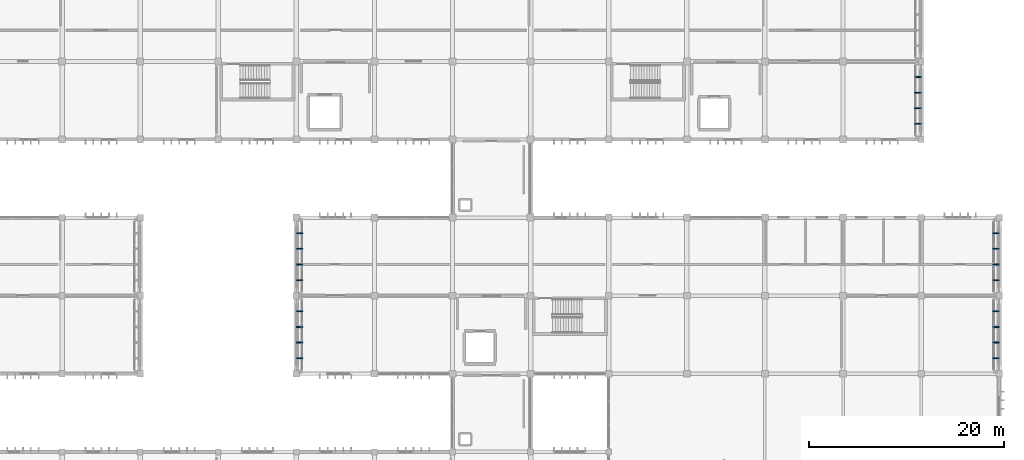
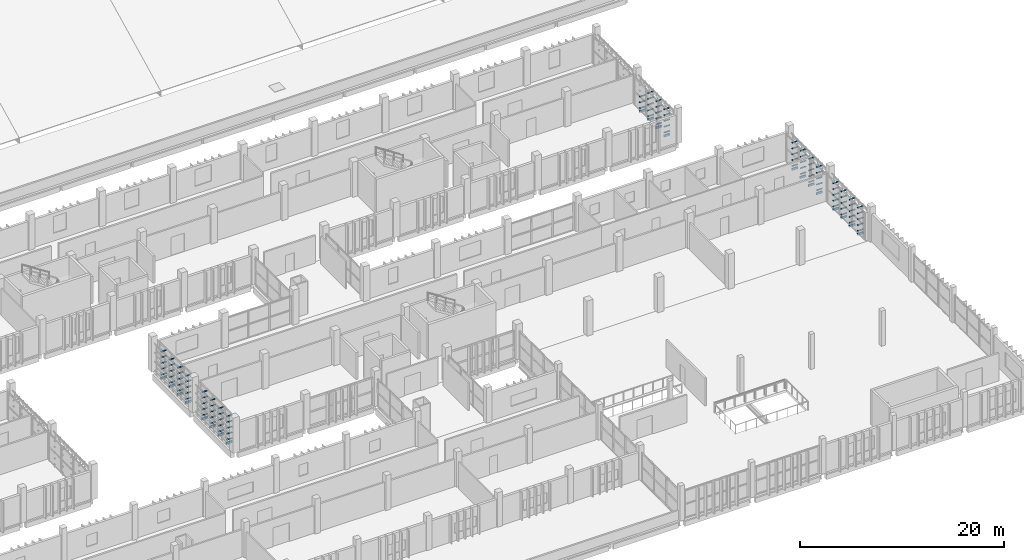
# One storey, part 126 of 137: 118 discrete accessories.
"""IFC4 building model written with IfcOpenShell, lengths in metres."""

from ifc_helpers import new_model, si_unit, direction, frame, origin, origin_2d, place, context, subcontext, project, spatial, rectangle, extrude, material, type_object, element, save


model = new_model("IFC4")

# Units and contexts
model_context = context("Model", 3, precision=1e-05, world=origin(), true_north=direction((0.0, 1.0)))
body_context = subcontext(model_context, "Body", "Model", "MODEL_VIEW")
ifc_project = project(units=[si_unit("LENGTHUNIT", "METRE"), si_unit("AREAUNIT", "SQUARE_METRE"), si_unit("VOLUMEUNIT", "CUBIC_METRE"), si_unit("PLANEANGLEUNIT", "RADIAN"), si_unit("MASSUNIT", "GRAM", prefix="KILO")], contexts=[model_context])

# Site, building, storey
site_placement = place(None, origin())
site = spatial("IfcSite", under=ifc_project, at=site_placement, CompositionType="ELEMENT")
building_placement = place(site_placement, origin())
building = spatial("IfcBuilding", under=site, at=building_placement, Name="Jelvoka-Kovrelna Polytechnic", CompositionType="ELEMENT")
storey_placement = place(building_placement, frame((0.0, 0.0, 9.60009765625)))
storey = spatial("IfcBuildingStorey", under=building, at=storey_placement, Name="L03", CompositionType="ELEMENT", Elevation=9.60009765625)

# Discrete accessories
ifc_material = material(Name="Structural steel S355JR", Category="steel")
discrete_accessory_type = type_object("IfcDiscreteAccessoryType", Name="Bracket_Outrigger_S355", PredefinedType="BRACKET", material=ifc_material)
discrete_accessory_1_placement = place(storey_placement, frame((128.320068359375, 33.60009765625, 0.27978515625), z_axis=(0.0, 0.0, 1.0), x_axis=(1.0, 0.0, 0.0)))
element("IfcDiscreteAccessory", 1, at=discrete_accessory_1_placement, inside=storey, type_object=discrete_accessory_type, Name="L03 screen outrigger tie bracket BRKM-PLT-SCR-0581", PredefinedType="BRACKET", context=body_context, shape_type="SweptSolid", body=[
    extrude(rectangle(XDim=0.639892578125, YDim=0.080078125, at=origin_2d()), origin(), (0.0, 0.0, 1.0), 0.080078125),
])
discrete_accessory_2_placement = place(storey_placement, frame((128.340087890625, 33.60009765625, -0.199951171875), z_axis=(0.0, 0.0, 1.0), x_axis=(1.0, 0.0, 0.0)))
element("IfcDiscreteAccessory", 2, at=discrete_accessory_2_placement, inside=storey, type_object=discrete_accessory_type, Name="L03 screen outrigger tie bracket BRK-PLT-SCR-0581", PredefinedType="BRACKET", context=body_context, shape_type="SweptSolid", body=[
    extrude(rectangle(XDim=0.679931640625, YDim=0.1201171875, at=origin_2d()), origin(), (0.0, 0.0, 1.0), 0.239990234375),
])
for number, where, z_axis, x_axis, name in (
    (3, (128.320068359375, 33.60009765625, 0.972412109375), (0.0, 0.0, 1.0), (1.0, 0.0, 0.0), "L03 screen outrigger tie bracket BRKM-PLT-SCR-0582"),
    (4, (128.320068359375, 33.60009765625, 1.664794921875), (0.0, 0.0, 1.0), (1.0, 0.0, 0.0), "L03 screen outrigger tie bracket BRKM-PLT-SCR-0583"),
    (5, (128.320068359375, 33.60009765625, 2.357421875), (0.0, 0.0, 1.0), (1.0, 0.0, 0.0), "L03 screen outrigger tie bracket BRKM-PLT-SCR-0584"),
    (6, (128.320068359375, 33.60009765625, 3.0498046875), (0.0, 0.0, 1.0), (1.0, 0.0, 0.0), "L03 screen outrigger tie bracket BRKM-PLT-SCR-0585"),
    (7, (128.320068359375, 35.199951171875, 0.27978515625), (0.0, 0.0, 1.0), (1.0, 0.0, 0.0), "L03 screen outrigger tie bracket BRKM-PLT-SCR-0586"),
):
    element("IfcDiscreteAccessory", number, at=place(storey_placement, frame(where, z_axis=z_axis, x_axis=x_axis)), inside=storey, type_object=discrete_accessory_type, Name=name, PredefinedType="BRACKET", context=body_context, shape_type="SweptSolid", body=[
        extrude(rectangle(XDim=0.639892578125, YDim=0.080078125, at=origin_2d()), origin(), (0.0, 0.0, 1.0), 0.080078125),
    ])
discrete_accessory_3_placement = place(storey_placement, frame((128.340087890625, 35.199951171875, -0.199951171875), z_axis=(0.0, 0.0, 1.0), x_axis=(1.0, 0.0, 0.0)))
element("IfcDiscreteAccessory", 8, at=discrete_accessory_3_placement, inside=storey, type_object=discrete_accessory_type, Name="L03 screen outrigger tie bracket BRK-PLT-SCR-0586", PredefinedType="BRACKET", context=body_context, shape_type="SweptSolid", body=[
    extrude(rectangle(XDim=0.679931640625, YDim=0.1201171875, at=origin_2d()), origin(), (0.0, 0.0, 1.0), 0.239990234375),
])
for number, where, z_axis, x_axis, name in (
    (9, (128.320068359375, 35.199951171875, 0.972412109375), (0.0, 0.0, 1.0), (1.0, 0.0, 0.0), "L03 screen outrigger tie bracket BRKM-PLT-SCR-0587"),
    (10, (128.320068359375, 35.199951171875, 1.664794921875), (0.0, 0.0, 1.0), (1.0, 0.0, 0.0), "L03 screen outrigger tie bracket BRKM-PLT-SCR-0588"),
    (11, (128.320068359375, 35.199951171875, 2.357421875), (0.0, 0.0, 1.0), (1.0, 0.0, 0.0), "L03 screen outrigger tie bracket BRKM-PLT-SCR-0589"),
    (12, (128.320068359375, 35.199951171875, 3.0498046875), (0.0, 0.0, 1.0), (1.0, 0.0, 0.0), "L03 screen outrigger tie bracket BRKM-PLT-SCR-0590"),
    (13, (128.320068359375, 36.800048828125, 0.27978515625), (0.0, 0.0, 1.0), (1.0, 0.0, 0.0), "L03 screen outrigger tie bracket BRKM-PLT-SCR-0591"),
):
    element("IfcDiscreteAccessory", number, at=place(storey_placement, frame(where, z_axis=z_axis, x_axis=x_axis)), inside=storey, type_object=discrete_accessory_type, Name=name, PredefinedType="BRACKET", context=body_context, shape_type="SweptSolid", body=[
        extrude(rectangle(XDim=0.639892578125, YDim=0.080078125, at=origin_2d()), origin(), (0.0, 0.0, 1.0), 0.080078125),
    ])
discrete_accessory_4_placement = place(storey_placement, frame((128.340087890625, 36.800048828125, -0.199951171875), z_axis=(0.0, 0.0, 1.0), x_axis=(1.0, 0.0, 0.0)))
element("IfcDiscreteAccessory", 14, at=discrete_accessory_4_placement, inside=storey, type_object=discrete_accessory_type, Name="L03 screen outrigger tie bracket BRK-PLT-SCR-0591", PredefinedType="BRACKET", context=body_context, shape_type="SweptSolid", body=[
    extrude(rectangle(XDim=0.679931640625, YDim=0.1201171875, at=origin_2d()), origin(), (0.0, 0.0, 1.0), 0.239990234375),
])
for number, where, z_axis, x_axis, name in (
    (15, (128.320068359375, 36.800048828125, 0.972412109375), (0.0, 0.0, 1.0), (1.0, 0.0, 0.0), "L03 screen outrigger tie bracket BRKM-PLT-SCR-0592"),
    (16, (128.320068359375, 36.800048828125, 1.664794921875), (0.0, 0.0, 1.0), (1.0, 0.0, 0.0), "L03 screen outrigger tie bracket BRKM-PLT-SCR-0593"),
    (17, (128.320068359375, 36.800048828125, 2.357421875), (0.0, 0.0, 1.0), (1.0, 0.0, 0.0), "L03 screen outrigger tie bracket BRKM-PLT-SCR-0594"),
    (18, (128.320068359375, 36.800048828125, 3.0498046875), (0.0, 0.0, 1.0), (1.0, 0.0, 0.0), "L03 screen outrigger tie bracket BRKM-PLT-SCR-0595"),
    (19, (128.320068359375, 38.39990234375, 0.27978515625), (0.0, 0.0, 1.0), (1.0, 0.0, 0.0), "L03 screen outrigger tie bracket BRKM-PLT-SCR-0596"),
):
    element("IfcDiscreteAccessory", number, at=place(storey_placement, frame(where, z_axis=z_axis, x_axis=x_axis)), inside=storey, type_object=discrete_accessory_type, Name=name, PredefinedType="BRACKET", context=body_context, shape_type="SweptSolid", body=[
        extrude(rectangle(XDim=0.639892578125, YDim=0.080078125, at=origin_2d()), origin(), (0.0, 0.0, 1.0), 0.080078125),
    ])
discrete_accessory_5_placement = place(storey_placement, frame((128.340087890625, 38.39990234375, -0.199951171875), z_axis=(0.0, 0.0, 1.0), x_axis=(1.0, 0.0, 0.0)))
element("IfcDiscreteAccessory", 20, at=discrete_accessory_5_placement, inside=storey, type_object=discrete_accessory_type, Name="L03 screen outrigger tie bracket BRK-PLT-SCR-0596", PredefinedType="BRACKET", context=body_context, shape_type="SweptSolid", body=[
    extrude(rectangle(XDim=0.679931640625, YDim=0.1201171875, at=origin_2d()), origin(), (0.0, 0.0, 1.0), 0.239990234375),
])
for number, where, z_axis, x_axis, name in (
    (21, (128.320068359375, 38.39990234375, 0.972412109375), (0.0, 0.0, 1.0), (1.0, 0.0, 0.0), "L03 screen outrigger tie bracket BRKM-PLT-SCR-0597"),
    (22, (128.320068359375, 38.39990234375, 1.664794921875), (0.0, 0.0, 1.0), (1.0, 0.0, 0.0), "L03 screen outrigger tie bracket BRKM-PLT-SCR-0598"),
    (23, (128.320068359375, 38.39990234375, 2.357421875), (0.0, 0.0, 1.0), (1.0, 0.0, 0.0), "L03 screen outrigger tie bracket BRKM-PLT-SCR-0599"),
    (24, (128.320068359375, 38.39990234375, 3.0498046875), (0.0, 0.0, 1.0), (1.0, 0.0, 0.0), "L03 screen outrigger tie bracket BRKM-PLT-SCR-0600"),
    (25, (128.320068359375, 41.60009765625, 0.27978515625), (0.0, 0.0, 1.0), (1.0, 0.0, 0.0), "L03 screen outrigger tie bracket BRKM-PLT-SCR-0601"),
):
    element("IfcDiscreteAccessory", number, at=place(storey_placement, frame(where, z_axis=z_axis, x_axis=x_axis)), inside=storey, type_object=discrete_accessory_type, Name=name, PredefinedType="BRACKET", context=body_context, shape_type="SweptSolid", body=[
        extrude(rectangle(XDim=0.639892578125, YDim=0.080078125, at=origin_2d()), origin(), (0.0, 0.0, 1.0), 0.080078125),
    ])
discrete_accessory_6_placement = place(storey_placement, frame((128.340087890625, 41.60009765625, -0.199951171875), z_axis=(0.0, 0.0, 1.0), x_axis=(1.0, 0.0, 0.0)))
element("IfcDiscreteAccessory", 26, at=discrete_accessory_6_placement, inside=storey, type_object=discrete_accessory_type, Name="L03 screen outrigger tie bracket BRK-PLT-SCR-0601", PredefinedType="BRACKET", context=body_context, shape_type="SweptSolid", body=[
    extrude(rectangle(XDim=0.679931640625, YDim=0.1201171875, at=origin_2d()), origin(), (0.0, 0.0, 1.0), 0.239990234375),
])
for number, where, z_axis, x_axis, name in (
    (27, (128.320068359375, 41.60009765625, 0.972412109375), (0.0, 0.0, 1.0), (1.0, 0.0, 0.0), "L03 screen outrigger tie bracket BRKM-PLT-SCR-0602"),
    (28, (128.320068359375, 41.60009765625, 1.664794921875), (0.0, 0.0, 1.0), (1.0, 0.0, 0.0), "L03 screen outrigger tie bracket BRKM-PLT-SCR-0603"),
    (29, (128.320068359375, 41.60009765625, 2.357421875), (0.0, 0.0, 1.0), (1.0, 0.0, 0.0), "L03 screen outrigger tie bracket BRKM-PLT-SCR-0604"),
    (30, (128.320068359375, 41.60009765625, 3.0498046875), (0.0, 0.0, 1.0), (1.0, 0.0, 0.0), "L03 screen outrigger tie bracket BRKM-PLT-SCR-0605"),
    (31, (128.320068359375, 43.199951171875, 0.27978515625), (0.0, 0.0, 1.0), (1.0, 0.0, 0.0), "L03 screen outrigger tie bracket BRKM-PLT-SCR-0606"),
):
    element("IfcDiscreteAccessory", number, at=place(storey_placement, frame(where, z_axis=z_axis, x_axis=x_axis)), inside=storey, type_object=discrete_accessory_type, Name=name, PredefinedType="BRACKET", context=body_context, shape_type="SweptSolid", body=[
        extrude(rectangle(XDim=0.639892578125, YDim=0.080078125, at=origin_2d()), origin(), (0.0, 0.0, 1.0), 0.080078125),
    ])
discrete_accessory_7_placement = place(storey_placement, frame((128.340087890625, 43.199951171875, -0.199951171875), z_axis=(0.0, 0.0, 1.0), x_axis=(1.0, 0.0, 0.0)))
element("IfcDiscreteAccessory", 32, at=discrete_accessory_7_placement, inside=storey, type_object=discrete_accessory_type, Name="L03 screen outrigger tie bracket BRK-PLT-SCR-0606", PredefinedType="BRACKET", context=body_context, shape_type="SweptSolid", body=[
    extrude(rectangle(XDim=0.679931640625, YDim=0.1201171875, at=origin_2d()), origin(), (0.0, 0.0, 1.0), 0.239990234375),
])
for number, where, z_axis, x_axis, name in (
    (33, (128.320068359375, 43.199951171875, 0.972412109375), (0.0, 0.0, 1.0), (1.0, 0.0, 0.0), "L03 screen outrigger tie bracket BRKM-PLT-SCR-0607"),
    (34, (128.320068359375, 43.199951171875, 1.664794921875), (0.0, 0.0, 1.0), (1.0, 0.0, 0.0), "L03 screen outrigger tie bracket BRKM-PLT-SCR-0608"),
    (35, (128.320068359375, 43.199951171875, 2.357421875), (0.0, 0.0, 1.0), (1.0, 0.0, 0.0), "L03 screen outrigger tie bracket BRKM-PLT-SCR-0609"),
    (36, (128.320068359375, 43.199951171875, 3.0498046875), (0.0, 0.0, 1.0), (1.0, 0.0, 0.0), "L03 screen outrigger tie bracket BRKM-PLT-SCR-0610"),
    (37, (128.320068359375, 44.800048828125, 0.27978515625), (0.0, 0.0, 1.0), (1.0, 0.0, 0.0), "L03 screen outrigger tie bracket BRKM-PLT-SCR-0611"),
):
    element("IfcDiscreteAccessory", number, at=place(storey_placement, frame(where, z_axis=z_axis, x_axis=x_axis)), inside=storey, type_object=discrete_accessory_type, Name=name, PredefinedType="BRACKET", context=body_context, shape_type="SweptSolid", body=[
        extrude(rectangle(XDim=0.639892578125, YDim=0.080078125, at=origin_2d()), origin(), (0.0, 0.0, 1.0), 0.080078125),
    ])
discrete_accessory_8_placement = place(storey_placement, frame((128.340087890625, 44.800048828125, -0.199951171875), z_axis=(0.0, 0.0, 1.0), x_axis=(1.0, 0.0, 0.0)))
element("IfcDiscreteAccessory", 38, at=discrete_accessory_8_placement, inside=storey, type_object=discrete_accessory_type, Name="L03 screen outrigger tie bracket BRK-PLT-SCR-0611", PredefinedType="BRACKET", context=body_context, shape_type="SweptSolid", body=[
    extrude(rectangle(XDim=0.679931640625, YDim=0.1201171875, at=origin_2d()), origin(), (0.0, 0.0, 1.0), 0.239990234375),
])
for number, where, z_axis, x_axis, name in (
    (39, (128.320068359375, 44.800048828125, 0.972412109375), (0.0, 0.0, 1.0), (1.0, 0.0, 0.0), "L03 screen outrigger tie bracket BRKM-PLT-SCR-0612"),
    (40, (128.320068359375, 44.800048828125, 1.664794921875), (0.0, 0.0, 1.0), (1.0, 0.0, 0.0), "L03 screen outrigger tie bracket BRKM-PLT-SCR-0613"),
    (41, (128.320068359375, 44.800048828125, 2.357421875), (0.0, 0.0, 1.0), (1.0, 0.0, 0.0), "L03 screen outrigger tie bracket BRKM-PLT-SCR-0614"),
    (42, (128.320068359375, 44.800048828125, 3.0498046875), (0.0, 0.0, 1.0), (1.0, 0.0, 0.0), "L03 screen outrigger tie bracket BRKM-PLT-SCR-0615"),
    (43, (128.320068359375, 46.39990234375, 0.27978515625), (0.0, 0.0, 1.0), (1.0, 0.0, 0.0), "L03 screen outrigger tie bracket BRKM-PLT-SCR-0616"),
):
    element("IfcDiscreteAccessory", number, at=place(storey_placement, frame(where, z_axis=z_axis, x_axis=x_axis)), inside=storey, type_object=discrete_accessory_type, Name=name, PredefinedType="BRACKET", context=body_context, shape_type="SweptSolid", body=[
        extrude(rectangle(XDim=0.639892578125, YDim=0.080078125, at=origin_2d()), origin(), (0.0, 0.0, 1.0), 0.080078125),
    ])
discrete_accessory_9_placement = place(storey_placement, frame((128.340087890625, 46.39990234375, -0.199951171875), z_axis=(0.0, 0.0, 1.0), x_axis=(1.0, 0.0, 0.0)))
element("IfcDiscreteAccessory", 44, at=discrete_accessory_9_placement, inside=storey, type_object=discrete_accessory_type, Name="L03 screen outrigger tie bracket BRK-PLT-SCR-0616", PredefinedType="BRACKET", context=body_context, shape_type="SweptSolid", body=[
    extrude(rectangle(XDim=0.679931640625, YDim=0.1201171875, at=origin_2d()), origin(), (0.0, 0.0, 1.0), 0.239990234375),
])
for number, where, z_axis, x_axis, name in (
    (45, (128.320068359375, 46.39990234375, 0.972412109375), (0.0, 0.0, 1.0), (1.0, 0.0, 0.0), "L03 screen outrigger tie bracket BRKM-PLT-SCR-0617"),
    (46, (128.320068359375, 46.39990234375, 1.664794921875), (0.0, 0.0, 1.0), (1.0, 0.0, 0.0), "L03 screen outrigger tie bracket BRKM-PLT-SCR-0618"),
    (47, (128.320068359375, 46.39990234375, 2.357421875), (0.0, 0.0, 1.0), (1.0, 0.0, 0.0), "L03 screen outrigger tie bracket BRKM-PLT-SCR-0619"),
    (48, (128.320068359375, 46.39990234375, 3.0498046875), (0.0, 0.0, 1.0), (1.0, 0.0, 0.0), "L03 screen outrigger tie bracket BRKM-PLT-SCR-0620"),
    (49, (199.679931640625, 33.60009765625, 0.27978515625), (0.0, 0.0, 1.0), (1.0, 0.0, 0.0), "L03 screen outrigger tie bracket BRKM-PLT-SCR-0621"),
):
    element("IfcDiscreteAccessory", number, at=place(storey_placement, frame(where, z_axis=z_axis, x_axis=x_axis)), inside=storey, type_object=discrete_accessory_type, Name=name, PredefinedType="BRACKET", context=body_context, shape_type="SweptSolid", body=[
        extrude(rectangle(XDim=0.639892578125, YDim=0.080078125, at=origin_2d()), origin(), (0.0, 0.0, 1.0), 0.080078125),
    ])
discrete_accessory_10_placement = place(storey_placement, frame((199.659912109375, 33.60009765625, -0.199951171875), z_axis=(0.0, 0.0, 1.0), x_axis=(1.0, 0.0, 0.0)))
element("IfcDiscreteAccessory", 50, at=discrete_accessory_10_placement, inside=storey, type_object=discrete_accessory_type, Name="L03 screen outrigger tie bracket BRK-PLT-SCR-0621", PredefinedType="BRACKET", context=body_context, shape_type="SweptSolid", body=[
    extrude(rectangle(XDim=0.679931640625, YDim=0.1201171875, at=origin_2d()), origin(), (0.0, 0.0, 1.0), 0.239990234375),
])
for number, where, z_axis, x_axis, name in (
    (51, (199.679931640625, 33.60009765625, 0.972412109375), (0.0, 0.0, 1.0), (1.0, 0.0, 0.0), "L03 screen outrigger tie bracket BRKM-PLT-SCR-0622"),
    (52, (199.679931640625, 33.60009765625, 1.664794921875), (0.0, 0.0, 1.0), (1.0, 0.0, 0.0), "L03 screen outrigger tie bracket BRKM-PLT-SCR-0623"),
    (53, (199.679931640625, 33.60009765625, 2.357421875), (0.0, 0.0, 1.0), (1.0, 0.0, 0.0), "L03 screen outrigger tie bracket BRKM-PLT-SCR-0624"),
    (54, (199.679931640625, 33.60009765625, 3.0498046875), (0.0, 0.0, 1.0), (1.0, 0.0, 0.0), "L03 screen outrigger tie bracket BRKM-PLT-SCR-0625"),
    (55, (199.679931640625, 35.199951171875, 0.27978515625), (0.0, 0.0, 1.0), (1.0, 0.0, 0.0), "L03 screen outrigger tie bracket BRKM-PLT-SCR-0626"),
):
    element("IfcDiscreteAccessory", number, at=place(storey_placement, frame(where, z_axis=z_axis, x_axis=x_axis)), inside=storey, type_object=discrete_accessory_type, Name=name, PredefinedType="BRACKET", context=body_context, shape_type="SweptSolid", body=[
        extrude(rectangle(XDim=0.639892578125, YDim=0.080078125, at=origin_2d()), origin(), (0.0, 0.0, 1.0), 0.080078125),
    ])
discrete_accessory_11_placement = place(storey_placement, frame((199.659912109375, 35.199951171875, -0.199951171875), z_axis=(0.0, 0.0, 1.0), x_axis=(1.0, 0.0, 0.0)))
element("IfcDiscreteAccessory", 56, at=discrete_accessory_11_placement, inside=storey, type_object=discrete_accessory_type, Name="L03 screen outrigger tie bracket BRK-PLT-SCR-0626", PredefinedType="BRACKET", context=body_context, shape_type="SweptSolid", body=[
    extrude(rectangle(XDim=0.679931640625, YDim=0.1201171875, at=origin_2d()), origin(), (0.0, 0.0, 1.0), 0.239990234375),
])
for number, where, z_axis, x_axis, name in (
    (57, (199.679931640625, 35.199951171875, 0.972412109375), (0.0, 0.0, 1.0), (1.0, 0.0, 0.0), "L03 screen outrigger tie bracket BRKM-PLT-SCR-0627"),
    (58, (199.679931640625, 35.199951171875, 1.664794921875), (0.0, 0.0, 1.0), (1.0, 0.0, 0.0), "L03 screen outrigger tie bracket BRKM-PLT-SCR-0628"),
    (59, (199.679931640625, 35.199951171875, 2.357421875), (0.0, 0.0, 1.0), (1.0, 0.0, 0.0), "L03 screen outrigger tie bracket BRKM-PLT-SCR-0629"),
    (60, (199.679931640625, 35.199951171875, 3.0498046875), (0.0, 0.0, 1.0), (1.0, 0.0, 0.0), "L03 screen outrigger tie bracket BRKM-PLT-SCR-0630"),
    (61, (199.679931640625, 36.800048828125, 0.27978515625), (0.0, 0.0, 1.0), (1.0, 0.0, 0.0), "L03 screen outrigger tie bracket BRKM-PLT-SCR-0631"),
):
    element("IfcDiscreteAccessory", number, at=place(storey_placement, frame(where, z_axis=z_axis, x_axis=x_axis)), inside=storey, type_object=discrete_accessory_type, Name=name, PredefinedType="BRACKET", context=body_context, shape_type="SweptSolid", body=[
        extrude(rectangle(XDim=0.639892578125, YDim=0.080078125, at=origin_2d()), origin(), (0.0, 0.0, 1.0), 0.080078125),
    ])
discrete_accessory_12_placement = place(storey_placement, frame((199.659912109375, 36.800048828125, -0.199951171875), z_axis=(0.0, 0.0, 1.0), x_axis=(1.0, 0.0, 0.0)))
element("IfcDiscreteAccessory", 62, at=discrete_accessory_12_placement, inside=storey, type_object=discrete_accessory_type, Name="L03 screen outrigger tie bracket BRK-PLT-SCR-0631", PredefinedType="BRACKET", context=body_context, shape_type="SweptSolid", body=[
    extrude(rectangle(XDim=0.679931640625, YDim=0.1201171875, at=origin_2d()), origin(), (0.0, 0.0, 1.0), 0.239990234375),
])
for number, where, z_axis, x_axis, name in (
    (63, (199.679931640625, 36.800048828125, 0.972412109375), (0.0, 0.0, 1.0), (1.0, 0.0, 0.0), "L03 screen outrigger tie bracket BRKM-PLT-SCR-0632"),
    (64, (199.679931640625, 36.800048828125, 1.664794921875), (0.0, 0.0, 1.0), (1.0, 0.0, 0.0), "L03 screen outrigger tie bracket BRKM-PLT-SCR-0633"),
    (65, (199.679931640625, 36.800048828125, 2.357421875), (0.0, 0.0, 1.0), (1.0, 0.0, 0.0), "L03 screen outrigger tie bracket BRKM-PLT-SCR-0634"),
    (66, (199.679931640625, 36.800048828125, 3.0498046875), (0.0, 0.0, 1.0), (1.0, 0.0, 0.0), "L03 screen outrigger tie bracket BRKM-PLT-SCR-0635"),
    (67, (199.679931640625, 38.39990234375, 0.27978515625), (0.0, 0.0, 1.0), (1.0, 0.0, 0.0), "L03 screen outrigger tie bracket BRKM-PLT-SCR-0636"),
):
    element("IfcDiscreteAccessory", number, at=place(storey_placement, frame(where, z_axis=z_axis, x_axis=x_axis)), inside=storey, type_object=discrete_accessory_type, Name=name, PredefinedType="BRACKET", context=body_context, shape_type="SweptSolid", body=[
        extrude(rectangle(XDim=0.639892578125, YDim=0.080078125, at=origin_2d()), origin(), (0.0, 0.0, 1.0), 0.080078125),
    ])
discrete_accessory_13_placement = place(storey_placement, frame((199.659912109375, 38.39990234375, -0.199951171875), z_axis=(0.0, 0.0, 1.0), x_axis=(1.0, 0.0, 0.0)))
element("IfcDiscreteAccessory", 68, at=discrete_accessory_13_placement, inside=storey, type_object=discrete_accessory_type, Name="L03 screen outrigger tie bracket BRK-PLT-SCR-0636", PredefinedType="BRACKET", context=body_context, shape_type="SweptSolid", body=[
    extrude(rectangle(XDim=0.679931640625, YDim=0.1201171875, at=origin_2d()), origin(), (0.0, 0.0, 1.0), 0.239990234375),
])
for number, where, z_axis, x_axis, name in (
    (69, (199.679931640625, 38.39990234375, 0.972412109375), (0.0, 0.0, 1.0), (1.0, 0.0, 0.0), "L03 screen outrigger tie bracket BRKM-PLT-SCR-0637"),
    (70, (199.679931640625, 38.39990234375, 1.664794921875), (0.0, 0.0, 1.0), (1.0, 0.0, 0.0), "L03 screen outrigger tie bracket BRKM-PLT-SCR-0638"),
    (71, (199.679931640625, 38.39990234375, 2.357421875), (0.0, 0.0, 1.0), (1.0, 0.0, 0.0), "L03 screen outrigger tie bracket BRKM-PLT-SCR-0639"),
    (72, (199.679931640625, 38.39990234375, 3.0498046875), (0.0, 0.0, 1.0), (1.0, 0.0, 0.0), "L03 screen outrigger tie bracket BRKM-PLT-SCR-0640"),
    (73, (199.679931640625, 41.60009765625, 0.27978515625), (0.0, 0.0, 1.0), (1.0, 0.0, 0.0), "L03 screen outrigger tie bracket BRKM-PLT-SCR-0641"),
):
    element("IfcDiscreteAccessory", number, at=place(storey_placement, frame(where, z_axis=z_axis, x_axis=x_axis)), inside=storey, type_object=discrete_accessory_type, Name=name, PredefinedType="BRACKET", context=body_context, shape_type="SweptSolid", body=[
        extrude(rectangle(XDim=0.639892578125, YDim=0.080078125, at=origin_2d()), origin(), (0.0, 0.0, 1.0), 0.080078125),
    ])
discrete_accessory_14_placement = place(storey_placement, frame((199.659912109375, 41.60009765625, -0.199951171875), z_axis=(0.0, 0.0, 1.0), x_axis=(1.0, 0.0, 0.0)))
element("IfcDiscreteAccessory", 74, at=discrete_accessory_14_placement, inside=storey, type_object=discrete_accessory_type, Name="L03 screen outrigger tie bracket BRK-PLT-SCR-0641", PredefinedType="BRACKET", context=body_context, shape_type="SweptSolid", body=[
    extrude(rectangle(XDim=0.679931640625, YDim=0.1201171875, at=origin_2d()), origin(), (0.0, 0.0, 1.0), 0.239990234375),
])
for number, where, z_axis, x_axis, name in (
    (75, (199.679931640625, 41.60009765625, 0.972412109375), (0.0, 0.0, 1.0), (1.0, 0.0, 0.0), "L03 screen outrigger tie bracket BRKM-PLT-SCR-0642"),
    (76, (199.679931640625, 41.60009765625, 1.664794921875), (0.0, 0.0, 1.0), (1.0, 0.0, 0.0), "L03 screen outrigger tie bracket BRKM-PLT-SCR-0643"),
    (77, (199.679931640625, 41.60009765625, 2.357421875), (0.0, 0.0, 1.0), (1.0, 0.0, 0.0), "L03 screen outrigger tie bracket BRKM-PLT-SCR-0644"),
    (78, (199.679931640625, 41.60009765625, 3.0498046875), (0.0, 0.0, 1.0), (1.0, 0.0, 0.0), "L03 screen outrigger tie bracket BRKM-PLT-SCR-0645"),
    (79, (199.679931640625, 43.199951171875, 0.27978515625), (0.0, 0.0, 1.0), (1.0, 0.0, 0.0), "L03 screen outrigger tie bracket BRKM-PLT-SCR-0646"),
):
    element("IfcDiscreteAccessory", number, at=place(storey_placement, frame(where, z_axis=z_axis, x_axis=x_axis)), inside=storey, type_object=discrete_accessory_type, Name=name, PredefinedType="BRACKET", context=body_context, shape_type="SweptSolid", body=[
        extrude(rectangle(XDim=0.639892578125, YDim=0.080078125, at=origin_2d()), origin(), (0.0, 0.0, 1.0), 0.080078125),
    ])
discrete_accessory_15_placement = place(storey_placement, frame((199.659912109375, 43.199951171875, -0.199951171875), z_axis=(0.0, 0.0, 1.0), x_axis=(1.0, 0.0, 0.0)))
element("IfcDiscreteAccessory", 80, at=discrete_accessory_15_placement, inside=storey, type_object=discrete_accessory_type, Name="L03 screen outrigger tie bracket BRK-PLT-SCR-0646", PredefinedType="BRACKET", context=body_context, shape_type="SweptSolid", body=[
    extrude(rectangle(XDim=0.679931640625, YDim=0.1201171875, at=origin_2d()), origin(), (0.0, 0.0, 1.0), 0.239990234375),
])
for number, where, z_axis, x_axis, name in (
    (81, (199.679931640625, 43.199951171875, 0.972412109375), (0.0, 0.0, 1.0), (1.0, 0.0, 0.0), "L03 screen outrigger tie bracket BRKM-PLT-SCR-0647"),
    (82, (199.679931640625, 43.199951171875, 1.664794921875), (0.0, 0.0, 1.0), (1.0, 0.0, 0.0), "L03 screen outrigger tie bracket BRKM-PLT-SCR-0648"),
    (83, (199.679931640625, 43.199951171875, 2.357421875), (0.0, 0.0, 1.0), (1.0, 0.0, 0.0), "L03 screen outrigger tie bracket BRKM-PLT-SCR-0649"),
    (84, (199.679931640625, 43.199951171875, 3.0498046875), (0.0, 0.0, 1.0), (1.0, 0.0, 0.0), "L03 screen outrigger tie bracket BRKM-PLT-SCR-0650"),
    (85, (199.679931640625, 44.800048828125, 0.27978515625), (0.0, 0.0, 1.0), (1.0, 0.0, 0.0), "L03 screen outrigger tie bracket BRKM-PLT-SCR-0651"),
):
    element("IfcDiscreteAccessory", number, at=place(storey_placement, frame(where, z_axis=z_axis, x_axis=x_axis)), inside=storey, type_object=discrete_accessory_type, Name=name, PredefinedType="BRACKET", context=body_context, shape_type="SweptSolid", body=[
        extrude(rectangle(XDim=0.639892578125, YDim=0.080078125, at=origin_2d()), origin(), (0.0, 0.0, 1.0), 0.080078125),
    ])
discrete_accessory_16_placement = place(storey_placement, frame((199.659912109375, 44.800048828125, -0.199951171875), z_axis=(0.0, 0.0, 1.0), x_axis=(1.0, 0.0, 0.0)))
element("IfcDiscreteAccessory", 86, at=discrete_accessory_16_placement, inside=storey, type_object=discrete_accessory_type, Name="L03 screen outrigger tie bracket BRK-PLT-SCR-0651", PredefinedType="BRACKET", context=body_context, shape_type="SweptSolid", body=[
    extrude(rectangle(XDim=0.679931640625, YDim=0.1201171875, at=origin_2d()), origin(), (0.0, 0.0, 1.0), 0.239990234375),
])
for number, where, z_axis, x_axis, name in (
    (87, (199.679931640625, 44.800048828125, 0.972412109375), (0.0, 0.0, 1.0), (1.0, 0.0, 0.0), "L03 screen outrigger tie bracket BRKM-PLT-SCR-0652"),
    (88, (199.679931640625, 44.800048828125, 1.664794921875), (0.0, 0.0, 1.0), (1.0, 0.0, 0.0), "L03 screen outrigger tie bracket BRKM-PLT-SCR-0653"),
    (89, (199.679931640625, 44.800048828125, 2.357421875), (0.0, 0.0, 1.0), (1.0, 0.0, 0.0), "L03 screen outrigger tie bracket BRKM-PLT-SCR-0654"),
    (90, (199.679931640625, 44.800048828125, 3.0498046875), (0.0, 0.0, 1.0), (1.0, 0.0, 0.0), "L03 screen outrigger tie bracket BRKM-PLT-SCR-0655"),
    (91, (199.679931640625, 46.39990234375, 0.27978515625), (0.0, 0.0, 1.0), (1.0, 0.0, 0.0), "L03 screen outrigger tie bracket BRKM-PLT-SCR-0656"),
):
    element("IfcDiscreteAccessory", number, at=place(storey_placement, frame(where, z_axis=z_axis, x_axis=x_axis)), inside=storey, type_object=discrete_accessory_type, Name=name, PredefinedType="BRACKET", context=body_context, shape_type="SweptSolid", body=[
        extrude(rectangle(XDim=0.639892578125, YDim=0.080078125, at=origin_2d()), origin(), (0.0, 0.0, 1.0), 0.080078125),
    ])
discrete_accessory_17_placement = place(storey_placement, frame((199.659912109375, 46.39990234375, -0.199951171875), z_axis=(0.0, 0.0, 1.0), x_axis=(1.0, 0.0, 0.0)))
element("IfcDiscreteAccessory", 92, at=discrete_accessory_17_placement, inside=storey, type_object=discrete_accessory_type, Name="L03 screen outrigger tie bracket BRK-PLT-SCR-0656", PredefinedType="BRACKET", context=body_context, shape_type="SweptSolid", body=[
    extrude(rectangle(XDim=0.679931640625, YDim=0.1201171875, at=origin_2d()), origin(), (0.0, 0.0, 1.0), 0.239990234375),
])
for number, where, z_axis, x_axis, name in (
    (93, (199.679931640625, 46.39990234375, 0.972412109375), (0.0, 0.0, 1.0), (1.0, 0.0, 0.0), "L03 screen outrigger tie bracket BRKM-PLT-SCR-0657"),
    (94, (199.679931640625, 46.39990234375, 1.664794921875), (0.0, 0.0, 1.0), (1.0, 0.0, 0.0), "L03 screen outrigger tie bracket BRKM-PLT-SCR-0658"),
    (95, (199.679931640625, 46.39990234375, 2.357421875), (0.0, 0.0, 1.0), (1.0, 0.0, 0.0), "L03 screen outrigger tie bracket BRKM-PLT-SCR-0659"),
    (96, (199.679931640625, 46.39990234375, 3.0498046875), (0.0, 0.0, 1.0), (1.0, 0.0, 0.0), "L03 screen outrigger tie bracket BRKM-PLT-SCR-0660"),
    (97, (191.679931640625, 57.60009765625, 0.27978515625), (0.0, 0.0, 1.0), (1.0, 0.0, 0.0), "L03 screen outrigger tie bracket BRKM-PLT-SCR-1041"),
):
    element("IfcDiscreteAccessory", number, at=place(storey_placement, frame(where, z_axis=z_axis, x_axis=x_axis)), inside=storey, type_object=discrete_accessory_type, Name=name, PredefinedType="BRACKET", context=body_context, shape_type="SweptSolid", body=[
        extrude(rectangle(XDim=0.639892578125, YDim=0.080078125, at=origin_2d()), origin(), (0.0, 0.0, 1.0), 0.080078125),
    ])
discrete_accessory_18_placement = place(storey_placement, frame((191.659912109375, 57.60009765625, -0.199951171875), z_axis=(0.0, 0.0, 1.0), x_axis=(1.0, 0.0, 0.0)))
element("IfcDiscreteAccessory", 98, at=discrete_accessory_18_placement, inside=storey, type_object=discrete_accessory_type, Name="L03 screen outrigger tie bracket BRK-PLT-SCR-1041", PredefinedType="BRACKET", context=body_context, shape_type="SweptSolid", body=[
    extrude(rectangle(XDim=0.679931640625, YDim=0.1201171875, at=origin_2d()), origin(), (0.0, 0.0, 1.0), 0.239990234375),
])
for number, where, z_axis, x_axis, name in (
    (99, (191.679931640625, 57.60009765625, 0.972412109375), (0.0, 0.0, 1.0), (1.0, 0.0, 0.0), "L03 screen outrigger tie bracket BRKM-PLT-SCR-1042"),
    (100, (191.679931640625, 57.60009765625, 1.664794921875), (0.0, 0.0, 1.0), (1.0, 0.0, 0.0), "L03 screen outrigger tie bracket BRKM-PLT-SCR-1043"),
    (101, (191.679931640625, 57.60009765625, 2.357421875), (0.0, 0.0, 1.0), (1.0, 0.0, 0.0), "L03 screen outrigger tie bracket BRKM-PLT-SCR-1044"),
    (102, (191.679931640625, 57.60009765625, 3.0498046875), (0.0, 0.0, 1.0), (1.0, 0.0, 0.0), "L03 screen outrigger tie bracket BRKM-PLT-SCR-1045"),
    (103, (191.679931640625, 59.199951171875, 0.27978515625), (0.0, 0.0, 1.0), (1.0, 0.0, 0.0), "L03 screen outrigger tie bracket BRKM-PLT-SCR-1046"),
):
    element("IfcDiscreteAccessory", number, at=place(storey_placement, frame(where, z_axis=z_axis, x_axis=x_axis)), inside=storey, type_object=discrete_accessory_type, Name=name, PredefinedType="BRACKET", context=body_context, shape_type="SweptSolid", body=[
        extrude(rectangle(XDim=0.639892578125, YDim=0.080078125, at=origin_2d()), origin(), (0.0, 0.0, 1.0), 0.080078125),
    ])
discrete_accessory_19_placement = place(storey_placement, frame((191.659912109375, 59.199951171875, -0.199951171875), z_axis=(0.0, 0.0, 1.0), x_axis=(1.0, 0.0, 0.0)))
element("IfcDiscreteAccessory", 104, at=discrete_accessory_19_placement, inside=storey, type_object=discrete_accessory_type, Name="L03 screen outrigger tie bracket BRK-PLT-SCR-1046", PredefinedType="BRACKET", context=body_context, shape_type="SweptSolid", body=[
    extrude(rectangle(XDim=0.679931640625, YDim=0.1201171875, at=origin_2d()), origin(), (0.0, 0.0, 1.0), 0.239990234375),
])
for number, where, z_axis, x_axis, name in (
    (105, (191.679931640625, 59.199951171875, 0.972412109375), (0.0, 0.0, 1.0), (1.0, 0.0, 0.0), "L03 screen outrigger tie bracket BRKM-PLT-SCR-1047"),
    (106, (191.679931640625, 59.199951171875, 1.664794921875), (0.0, 0.0, 1.0), (1.0, 0.0, 0.0), "L03 screen outrigger tie bracket BRKM-PLT-SCR-1048"),
    (107, (191.679931640625, 59.199951171875, 2.357421875), (0.0, 0.0, 1.0), (1.0, 0.0, 0.0), "L03 screen outrigger tie bracket BRKM-PLT-SCR-1049"),
    (108, (191.679931640625, 59.199951171875, 3.0498046875), (0.0, 0.0, 1.0), (1.0, 0.0, 0.0), "L03 screen outrigger tie bracket BRKM-PLT-SCR-1050"),
    (109, (191.679931640625, 60.800048828125, 0.27978515625), (0.0, 0.0, 1.0), (1.0, 0.0, 0.0), "L03 screen outrigger tie bracket BRKM-PLT-SCR-1051"),
):
    element("IfcDiscreteAccessory", number, at=place(storey_placement, frame(where, z_axis=z_axis, x_axis=x_axis)), inside=storey, type_object=discrete_accessory_type, Name=name, PredefinedType="BRACKET", context=body_context, shape_type="SweptSolid", body=[
        extrude(rectangle(XDim=0.639892578125, YDim=0.080078125, at=origin_2d()), origin(), (0.0, 0.0, 1.0), 0.080078125),
    ])
discrete_accessory_20_placement = place(storey_placement, frame((191.659912109375, 60.800048828125, -0.199951171875), z_axis=(0.0, 0.0, 1.0), x_axis=(1.0, 0.0, 0.0)))
element("IfcDiscreteAccessory", 110, at=discrete_accessory_20_placement, inside=storey, type_object=discrete_accessory_type, Name="L03 screen outrigger tie bracket BRK-PLT-SCR-1051", PredefinedType="BRACKET", context=body_context, shape_type="SweptSolid", body=[
    extrude(rectangle(XDim=0.679931640625, YDim=0.1201171875, at=origin_2d()), origin(), (0.0, 0.0, 1.0), 0.239990234375),
])
for number, where, z_axis, x_axis, name in (
    (111, (191.679931640625, 60.800048828125, 0.972412109375), (0.0, 0.0, 1.0), (1.0, 0.0, 0.0), "L03 screen outrigger tie bracket BRKM-PLT-SCR-1052"),
    (112, (191.679931640625, 60.800048828125, 1.664794921875), (0.0, 0.0, 1.0), (1.0, 0.0, 0.0), "L03 screen outrigger tie bracket BRKM-PLT-SCR-1053"),
    (113, (191.679931640625, 60.800048828125, 2.357421875), (0.0, 0.0, 1.0), (1.0, 0.0, 0.0), "L03 screen outrigger tie bracket BRKM-PLT-SCR-1054"),
    (114, (191.679931640625, 60.800048828125, 3.0498046875), (0.0, 0.0, 1.0), (1.0, 0.0, 0.0), "L03 screen outrigger tie bracket BRKM-PLT-SCR-1055"),
    (115, (191.679931640625, 62.39990234375, 0.27978515625), (0.0, 0.0, 1.0), (1.0, 0.0, 0.0), "L03 screen outrigger tie bracket BRKM-PLT-SCR-1056"),
):
    element("IfcDiscreteAccessory", number, at=place(storey_placement, frame(where, z_axis=z_axis, x_axis=x_axis)), inside=storey, type_object=discrete_accessory_type, Name=name, PredefinedType="BRACKET", context=body_context, shape_type="SweptSolid", body=[
        extrude(rectangle(XDim=0.639892578125, YDim=0.080078125, at=origin_2d()), origin(), (0.0, 0.0, 1.0), 0.080078125),
    ])
discrete_accessory_21_placement = place(storey_placement, frame((191.659912109375, 62.39990234375, -0.199951171875), z_axis=(0.0, 0.0, 1.0), x_axis=(1.0, 0.0, 0.0)))
element("IfcDiscreteAccessory", 116, at=discrete_accessory_21_placement, inside=storey, type_object=discrete_accessory_type, Name="L03 screen outrigger tie bracket BRK-PLT-SCR-1056", PredefinedType="BRACKET", context=body_context, shape_type="SweptSolid", body=[
    extrude(rectangle(XDim=0.679931640625, YDim=0.1201171875, at=origin_2d()), origin(), (0.0, 0.0, 1.0), 0.239990234375),
])
for number, where, z_axis, x_axis, name in (
    (117, (191.679931640625, 62.39990234375, 0.972412109375), (0.0, 0.0, 1.0), (1.0, 0.0, 0.0), "L03 screen outrigger tie bracket BRKM-PLT-SCR-1057"),
    (118, (191.679931640625, 62.39990234375, 1.664794921875), (0.0, 0.0, 1.0), (1.0, 0.0, 0.0), "L03 screen outrigger tie bracket BRKM-PLT-SCR-1058"),
):
    element("IfcDiscreteAccessory", number, at=place(storey_placement, frame(where, z_axis=z_axis, x_axis=x_axis)), inside=storey, type_object=discrete_accessory_type, Name=name, PredefinedType="BRACKET", context=body_context, shape_type="SweptSolid", body=[
        extrude(rectangle(XDim=0.639892578125, YDim=0.080078125, at=origin_2d()), origin(), (0.0, 0.0, 1.0), 0.080078125),
    ])

save(model, "model.ifc")
